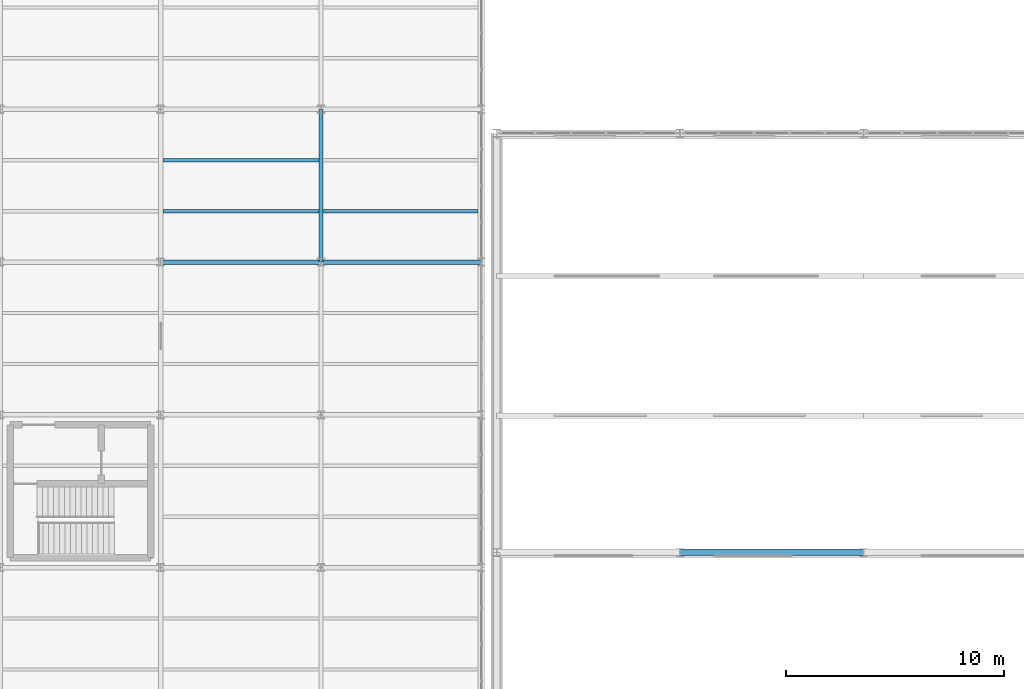
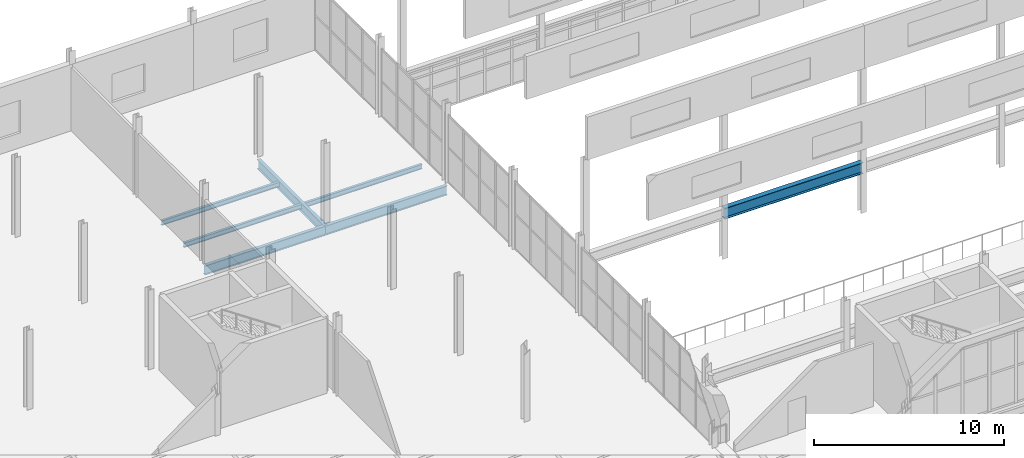
# One storey, part 56 of 218: 7 beams.
"""IFC4 building model written with IfcOpenShell, lengths in metres."""

from ifc_helpers import new_model, si_unit, direction, frame, origin, origin_2d, place, context, subcontext, project, spatial, i_section, extrude, material, material_profile, profile_set, type_object, element, save


model = new_model("IFC4")

# Units and contexts
model_context = context("Model", 3, precision=1e-05, world=origin(), true_north=direction((0.0, 1.0)))
body_context = subcontext(model_context, "Body", "Model", "MODEL_VIEW")
ifc_project = project(units=[si_unit("LENGTHUNIT", "METRE"), si_unit("AREAUNIT", "SQUARE_METRE"), si_unit("VOLUMEUNIT", "CUBIC_METRE"), si_unit("PLANEANGLEUNIT", "RADIAN"), si_unit("MASSUNIT", "GRAM", prefix="KILO")], contexts=[model_context])

# Site, building, storey
site_placement = place(None, origin())
site = spatial("IfcSite", under=ifc_project, at=site_placement, CompositionType="ELEMENT")
building_placement = place(site_placement, origin())
building = spatial("IfcBuilding", under=site, at=building_placement, Name="Kazenagashi Tramway Depot", CompositionType="ELEMENT")
storey_placement = place(building_placement, frame((0.0, 0.0, 6.0)))
storey = spatial("IfcBuildingStorey", under=building, at=storey_placement, Name="L02", CompositionType="ELEMENT", Elevation=6.0)

# Beams
ifc_material_1 = material(Name="Steel SN490B", Category="steel")
ifc_material_profile_1 = material_profile(ifc_material_1, i_section(OverallWidth=0.3, OverallDepth=0.7, WebThickness=0.013, FlangeThickness=0.024, at=origin_2d()), Name="H-700x300x13x24")
ifc_profile_set_1 = profile_set([ifc_material_profile_1], Name="Steel SN490B")
beam_type_1 = type_object("IfcBeamType", Name="G-02", PredefinedType="BEAM", material=ifc_profile_set_1)
beam_1_placement = place(storey_placement, frame((53.2, 35.7, 2.85), z_axis=(1.0, 0.0, 0.0), x_axis=(0.0, 1.0, 0.0)))
element("IfcBeam", 1, at=beam_1_placement, inside=storey, type_object=beam_type_1, Name="Beam G-02 BM-1162", PredefinedType="BEAM", context=body_context, shape_type="SweptSolid", body=[
    extrude(i_section(OverallWidth=0.3, OverallDepth=0.7, WebThickness=0.013, FlangeThickness=0.024, at=origin_2d()), origin(), (0.0, 0.0, 1.0), 8.4),
])
ifc_material_profile_2 = material_profile(ifc_material_1, i_section(OverallWidth=0.2, OverallDepth=0.6, WebThickness=0.011, FlangeThickness=0.017, at=origin_2d()), Name="H-600x200x11x17")
ifc_profile_set_2 = profile_set([ifc_material_profile_2], Name="Steel SN490B")
beam_type_2 = type_object("IfcBeamType", Name="G-03", PredefinedType="BEAM", material=ifc_profile_set_2)
for number, where, z_axis, x_axis, name in (
    (2, (29.4, 49.0, -0.55), (1.0, 0.0, 0.0), (0.0, 1.0, 0.0), "Beam G-03 BM-0041"),
    (3, (36.75, 49.0, -0.55), (1.0, 0.0, 0.0), (0.0, 1.0, 0.0), "Beam G-03 BM-0042"),
):
    element("IfcBeam", number, at=place(storey_placement, frame(where, z_axis=z_axis, x_axis=x_axis)), inside=storey, type_object=beam_type_2, Name=name, PredefinedType="BEAM", context=body_context, shape_type="SweptSolid", body=[
        extrude(i_section(OverallWidth=0.2, OverallDepth=0.6, WebThickness=0.011, FlangeThickness=0.017, at=origin_2d()), origin(), (0.0, 0.0, 1.0), 7.35),
    ])
beam_2_placement = place(storey_placement, frame((36.75, 49.0, -0.55), z_axis=(0.0, 1.0, 0.0), x_axis=(-1.0, 0.0, 0.0)))
element("IfcBeam", 4, at=beam_2_placement, inside=storey, type_object=beam_type_2, Name="Beam G-03 BM-0203", PredefinedType="BEAM", context=body_context, shape_type="SweptSolid", body=[
    extrude(i_section(OverallWidth=0.2, OverallDepth=0.6, WebThickness=0.011, FlangeThickness=0.017, at=origin_2d()), origin(), (0.0, 0.0, 1.0), 7.0),
])
ifc_material_2 = material(Name="Steel SN400B", Category="steel")
ifc_material_profile_3 = material_profile(ifc_material_2, i_section(OverallWidth=0.15, OverallDepth=0.3, WebThickness=0.0065, FlangeThickness=0.009, at=origin_2d()), Name="H-300x150x6.5x9")
ifc_profile_set_3 = profile_set([ifc_material_profile_3], Name="Steel SN400B")
beam_type_3 = type_object("IfcBeamType", Name="J-02", PredefinedType="JOIST", material=ifc_profile_set_3)
for number, where, z_axis, x_axis, name in (
    (5, (29.5, 51.333, -0.4), (1.0, 0.0, 0.0), (0.0, 1.0, 0.0), "Beam J-02 BM-0177"),
    (6, (29.5, 53.667, -0.4), (1.0, 0.0, 0.0), (0.0, 1.0, 0.0), "Beam J-02 BM-0178"),
):
    element("IfcBeam", number, at=place(storey_placement, frame(where, z_axis=z_axis, x_axis=x_axis)), inside=storey, type_object=beam_type_3, Name=name, PredefinedType="JOIST", context=body_context, shape_type="SweptSolid", body=[
        extrude(i_section(OverallWidth=0.15, OverallDepth=0.3, WebThickness=0.0065, FlangeThickness=0.009, at=origin_2d()), origin(), (0.0, 0.0, 1.0), 7.15),
    ])
beam_3_placement = place(storey_placement, frame((36.85, 51.333, -0.4), z_axis=(1.0, 0.0, 0.0), x_axis=(0.0, 1.0, 0.0)))
element("IfcBeam", 7, at=beam_3_placement, inside=storey, type_object=beam_type_3, Name="Beam J-02 BM-0204", PredefinedType="JOIST", context=body_context, shape_type="SweptSolid", body=[
    extrude(i_section(OverallWidth=0.15, OverallDepth=0.3, WebThickness=0.0065, FlangeThickness=0.009, at=origin_2d()), origin(), (0.0, 0.0, 1.0), 7.1),
])

save(model, "model.ifc")
